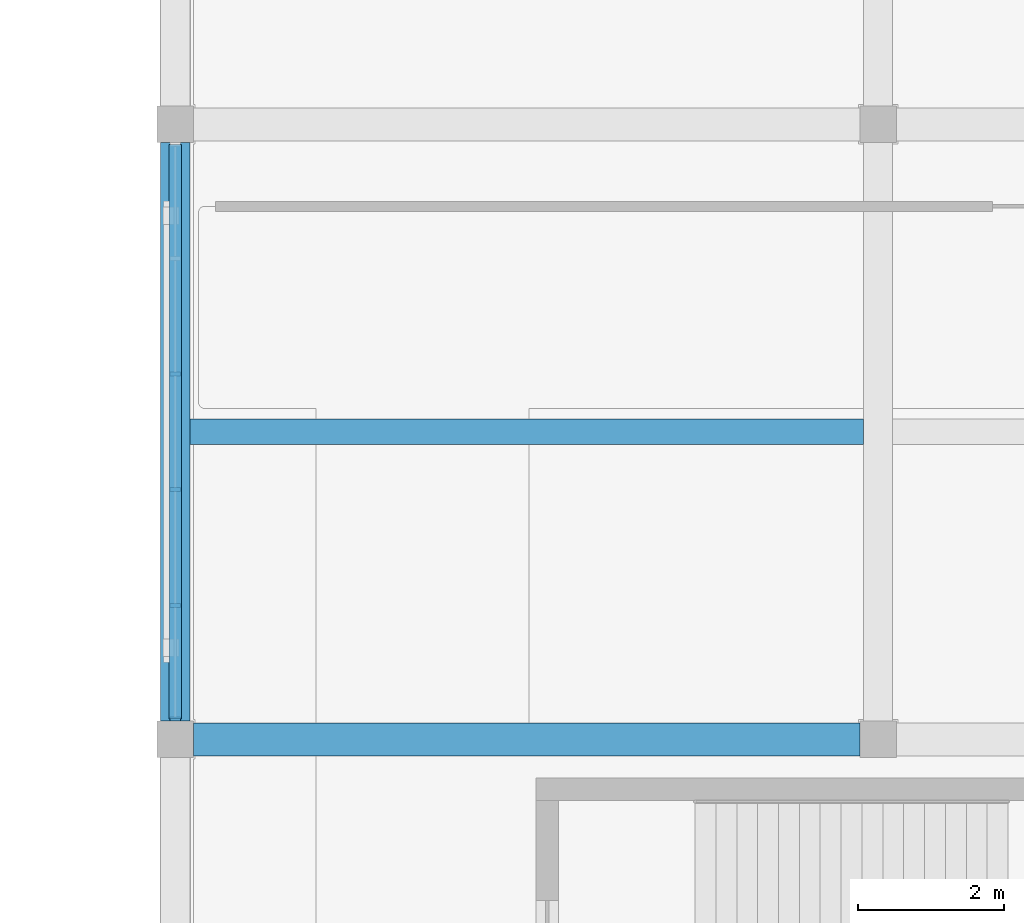
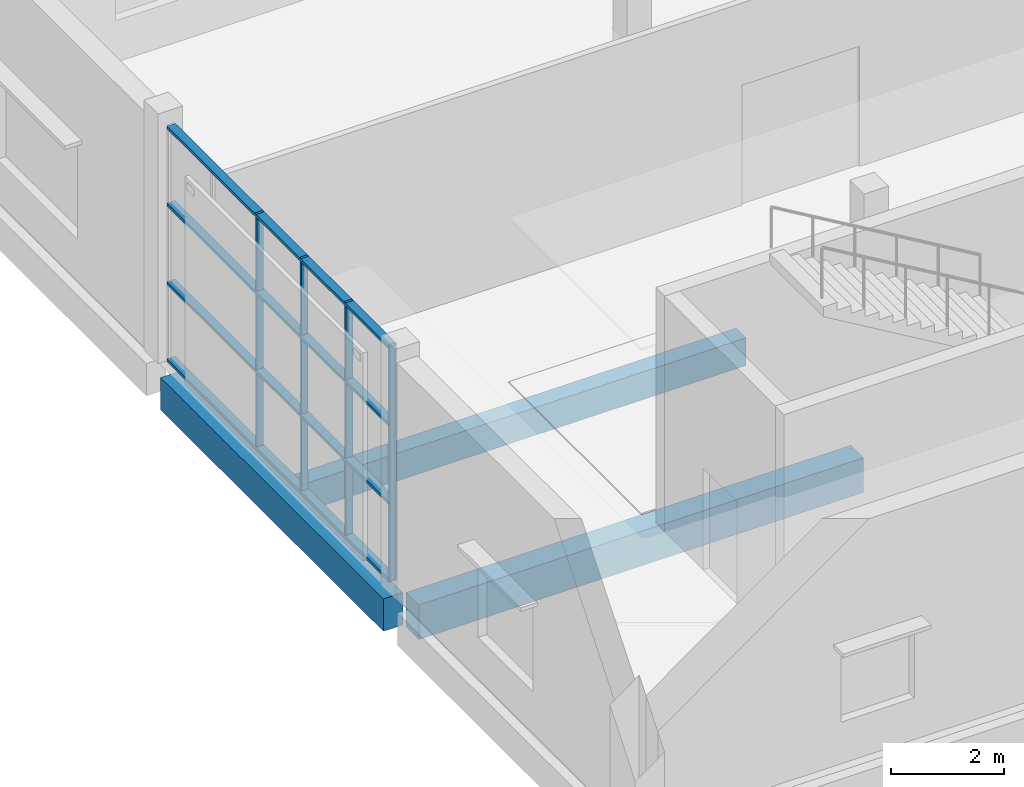
# One storey, part 20 of 72: 8 members, 3 beams, 1 element without a shape of its own.
"""IFC4 building model written with IfcOpenShell, lengths in metres."""

from ifc_helpers import new_model, si_unit, direction, frame, origin, origin_2d, place, context, subcontext, project, spatial, rectangle, extrude, material, material_profile, profile_set, type_object, element, aggregate, save


model = new_model("IFC4")

# Units and contexts
model_context = context("Model", 3, precision=1e-05, world=origin(), true_north=direction((0.0, 1.0)))
body_context = subcontext(model_context, "Body", "Model", "MODEL_VIEW")
ifc_project = project(units=[si_unit("LENGTHUNIT", "METRE"), si_unit("AREAUNIT", "SQUARE_METRE"), si_unit("VOLUMEUNIT", "CUBIC_METRE"), si_unit("PLANEANGLEUNIT", "RADIAN"), si_unit("MASSUNIT", "GRAM", prefix="KILO")], contexts=[model_context])

# Site, building, storey
site_placement = place(None, origin())
site = spatial("IfcSite", under=ifc_project, at=site_placement, CompositionType="ELEMENT")
building_placement = place(site_placement, origin())
building = spatial("IfcBuilding", under=site, at=building_placement, Name="Shalvenor Court Art Gallery", CompositionType="ELEMENT")
storey_placement = place(building_placement, frame((0.0, 0.0, 11.39990234375)))
storey = spatial("IfcBuildingStorey", under=building, at=storey_placement, Name="L02", CompositionType="ELEMENT", Elevation=11.39990234375)

# Beams
ifc_material_1 = material(Name="Concrete C40/50", Category="concrete")
ifc_material_profile_1 = material_profile(ifc_material_1, rectangle(XDim=0.449951171875, YDim=0.75, at=origin_2d()), Name="RC 450x750")
ifc_profile_set_1 = profile_set([ifc_material_profile_1], Name="Concrete C40/50")
beam_type_1 = type_object("IfcBeamType", Name="B-04", PredefinedType="BEAM", material=ifc_profile_set_1)
beam_1_placement = place(storey_placement, frame((57.85009765625, 105.60009765625, -0.69482421875), z_axis=(1.0, 0.0, 0.0), x_axis=(0.0, 1.0, 0.0)))
element("IfcBeam", 1, at=beam_1_placement, inside=storey, type_object=beam_type_1, Name="L02 Girder BM-L02-B-04-0888", PredefinedType="BEAM", context=body_context, shape_type="SweptSolid", body=[
    extrude(rectangle(XDim=0.449951171875, YDim=0.75, at=origin_2d()), origin(), (0.0, 0.0, 1.0), 9.099853515625),
])
ifc_material_2 = material(Name="Concrete C40/50", Category="concrete")
ifc_material_profile_2 = material_profile(ifc_material_2, rectangle(XDim=0.39990234375, YDim=0.699951171875, at=origin_2d()), Name="RC 400x700")
ifc_profile_set_2 = profile_set([ifc_material_profile_2], Name="Concrete C40/50")
beam_type_2 = type_object("IfcBeamType", Name="B-05", PredefinedType="BEAM", material=ifc_profile_set_2)
beam_2_placement = place(storey_placement, frame((57.60009765625, 105.85009765625, -0.669921875), z_axis=(0.0, 1.0, 0.0), x_axis=(-1.0, 0.0, 0.0)))
element("IfcBeam", 2, at=beam_2_placement, inside=storey, type_object=beam_type_2, Name="L02 Girder BM-L02-B-05-0729", PredefinedType="BEAM", context=body_context, shape_type="SweptSolid", body=[
    extrude(rectangle(XDim=0.39990234375, YDim=0.699951171875, at=origin_2d()), origin(), (0.0, 0.0, 1.0), 7.89990234375),
])

# Curtain wall, members
ifc_material_3 = material(Name="Anodised aluminium and low-iron glass curtain wall", Category="aluminium")
curtain_wall_type = type_object("IfcCurtainWallType", Name="CW-5x3-79-51-622", PredefinedType="USERDEFINED", material=ifc_material_3)
curtain_wall_placement = place(storey_placement, origin())
curtain_wall = element("IfcCurtainWall", 3, at=curtain_wall_placement, inside=storey, type_object=curtain_wall_type, Name="L02 V2 Curtain Wall CW-L02-079", ObjectType="CURTAIN WALL", PredefinedType="USERDEFINED")
ifc_material_4 = material(Name="Anodised aluminium mullion", Category="aluminium")
ifc_material_profile_3 = material_profile(ifc_material_4, rectangle(XDim=0.054931640625, YDim=0.139892578125, at=origin_2d()), Name="CWM-06")
ifc_profile_set_3 = profile_set([ifc_material_profile_3], Name="Anodised aluminium mullion")
member_type_1 = type_object("IfcMemberType", Name="CWM-06", PredefinedType="MULLION", material=ifc_profile_set_3)
member_1_placement = place(storey_placement, frame((57.60009765625, 105.87744140625, 0.0), z_axis=(0.0, 0.0, 1.0), x_axis=(0.0, 1.0, 0.0)))
member_1 = element("IfcMember", 4, at=member_1_placement, type_object=member_type_1, Name="CW-5x3-79-51-622 mullion 1", PredefinedType="MULLION", context=body_context, shape_type="SweptSolid", body=[
    extrude(rectangle(XDim=0.054931640625, YDim=0.139892578125, at=origin_2d()), origin(), (0.0, 0.0, 1.0), 5.10009765625),
])
member_2_placement = place(storey_placement, frame((57.60009765625, 107.429931640625, 0.0), z_axis=(0.0, 0.0, 1.0), x_axis=(0.0, 1.0, 0.0)))
member_2 = element("IfcMember", 5, at=member_2_placement, type_object=member_type_1, Name="CW-5x3-79-51-622 mullion 2", PredefinedType="MULLION", context=body_context, shape_type="SweptSolid", body=[
    extrude(rectangle(XDim=0.054931640625, YDim=0.139892578125, at=origin_2d()), origin(), (0.0, 0.0, 1.0), 5.10009765625),
])
member_3_placement = place(storey_placement, frame((57.60009765625, 109.010009765625, 0.0), z_axis=(0.0, 0.0, 1.0), x_axis=(0.0, 1.0, 0.0)))
member_3 = element("IfcMember", 6, at=member_3_placement, type_object=member_type_1, Name="CW-5x3-79-51-622 mullion 3", PredefinedType="MULLION", context=body_context, shape_type="SweptSolid", body=[
    extrude(rectangle(XDim=0.054931640625, YDim=0.139892578125, at=origin_2d()), origin(), (0.0, 0.0, 1.0), 5.10009765625),
])
member_4_placement = place(storey_placement, frame((57.60009765625, 110.590087890625, 0.0), z_axis=(0.0, 0.0, 1.0), x_axis=(0.0, 1.0, 0.0)))
member_4 = element("IfcMember", 7, at=member_4_placement, type_object=member_type_1, Name="CW-5x3-79-51-622 mullion 4", PredefinedType="MULLION", context=body_context, shape_type="SweptSolid", body=[
    extrude(rectangle(XDim=0.054931640625, YDim=0.139892578125, at=origin_2d()), origin(), (0.0, 0.0, 1.0), 5.10009765625),
])
ifc_material_5 = material(Name="Anodised aluminium transom", Category="aluminium")
ifc_material_profile_4 = material_profile(ifc_material_5, rectangle(XDim=0.169921875, YDim=0.06494140625, at=origin_2d()), Name="CWT-02")
ifc_profile_set_4 = profile_set([ifc_material_profile_4], Name="Anodised aluminium transom")
member_type_2 = type_object("IfcMemberType", Name="CWT-02", PredefinedType="USERDEFINED", material=ifc_profile_set_4)
member_5_placement = place(storey_placement, frame((57.60009765625, 105.87744140625, 0.03271484375), z_axis=(0.0, 1.0, 0.0), x_axis=(-1.0, 0.0, 0.0)))
member_5 = element("IfcMember", 8, at=member_5_placement, type_object=member_type_2, Name="CW-5x3-79-51-622 transom 1", ObjectType="TRANSOM", PredefinedType="USERDEFINED", context=body_context, shape_type="SweptSolid", body=[
    extrude(rectangle(XDim=0.169921875, YDim=0.06494140625, at=origin_2d()), origin(), (0.0, 0.0, 1.0), 7.844970703125),
])
member_6_placement = place(storey_placement, frame((57.60009765625, 105.87744140625, 1.7001953125), z_axis=(0.0, 1.0, 0.0), x_axis=(-1.0, 0.0, 0.0)))
member_6 = element("IfcMember", 9, at=member_6_placement, type_object=member_type_2, Name="CW-5x3-79-51-622 transom 2", ObjectType="TRANSOM", PredefinedType="USERDEFINED", context=body_context, shape_type="SweptSolid", body=[
    extrude(rectangle(XDim=0.169921875, YDim=0.06494140625, at=origin_2d()), origin(), (0.0, 0.0, 1.0), 7.844970703125),
])
member_7_placement = place(storey_placement, frame((57.60009765625, 105.87744140625, 3.400146484375), z_axis=(0.0, 1.0, 0.0), x_axis=(-1.0, 0.0, 0.0)))
member_7 = element("IfcMember", 10, at=member_7_placement, type_object=member_type_2, Name="CW-5x3-79-51-622 transom 3", ObjectType="TRANSOM", PredefinedType="USERDEFINED", context=body_context, shape_type="SweptSolid", body=[
    extrude(rectangle(XDim=0.169921875, YDim=0.06494140625, at=origin_2d()), origin(), (0.0, 0.0, 1.0), 7.844970703125),
])
member_8_placement = place(storey_placement, frame((57.60009765625, 105.87744140625, 5.067626953125), z_axis=(0.0, 1.0, 0.0), x_axis=(-1.0, 0.0, 0.0)))
member_8 = element("IfcMember", 11, at=member_8_placement, type_object=member_type_2, Name="CW-5x3-79-51-622 transom 4", ObjectType="TRANSOM", PredefinedType="USERDEFINED", context=body_context, shape_type="SweptSolid", body=[
    extrude(rectangle(XDim=0.169921875, YDim=0.06494140625, at=origin_2d()), origin(), (0.0, 0.0, 1.0), 7.844970703125),
])
aggregate(curtain_wall, [member_1, member_2, member_3, member_4, member_5, member_6, member_7, member_8])

# Beam
ifc_material_6 = material(Name="Concrete C40/50", Category="concrete")
ifc_material_profile_5 = material_profile(ifc_material_6, rectangle(XDim=0.35009765625, YDim=0.60009765625, at=origin_2d()), Name="RC 350x600")
ifc_profile_set_5 = profile_set([ifc_material_profile_5], Name="Concrete C40/50")
beam_type_3 = type_object("IfcBeamType", Name="J-01", PredefinedType="JOIST", material=ifc_profile_set_5)
beam_3_placement = place(storey_placement, frame((57.800048828125, 109.800048828125, -0.619873046875), z_axis=(1.0, 0.0, 0.0), x_axis=(0.0, 1.0, 0.0)))
element("IfcBeam", 12, at=beam_3_placement, inside=storey, type_object=beam_type_3, Name="L02 Secondary Beam JST-L02-J-01-0927", PredefinedType="JOIST", context=body_context, shape_type="SweptSolid", body=[
    extrude(rectangle(XDim=0.35009765625, YDim=0.60009765625, at=origin_2d()), origin(), (0.0, 0.0, 1.0), 9.199951171875),
])

save(model, "model.ifc")
